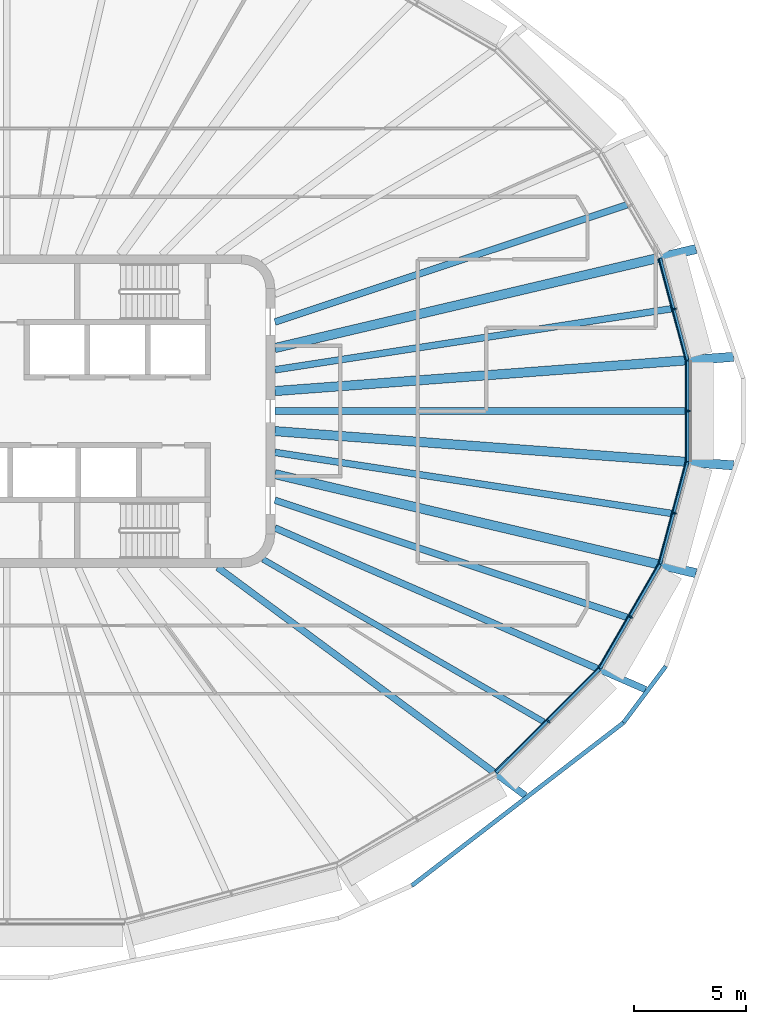
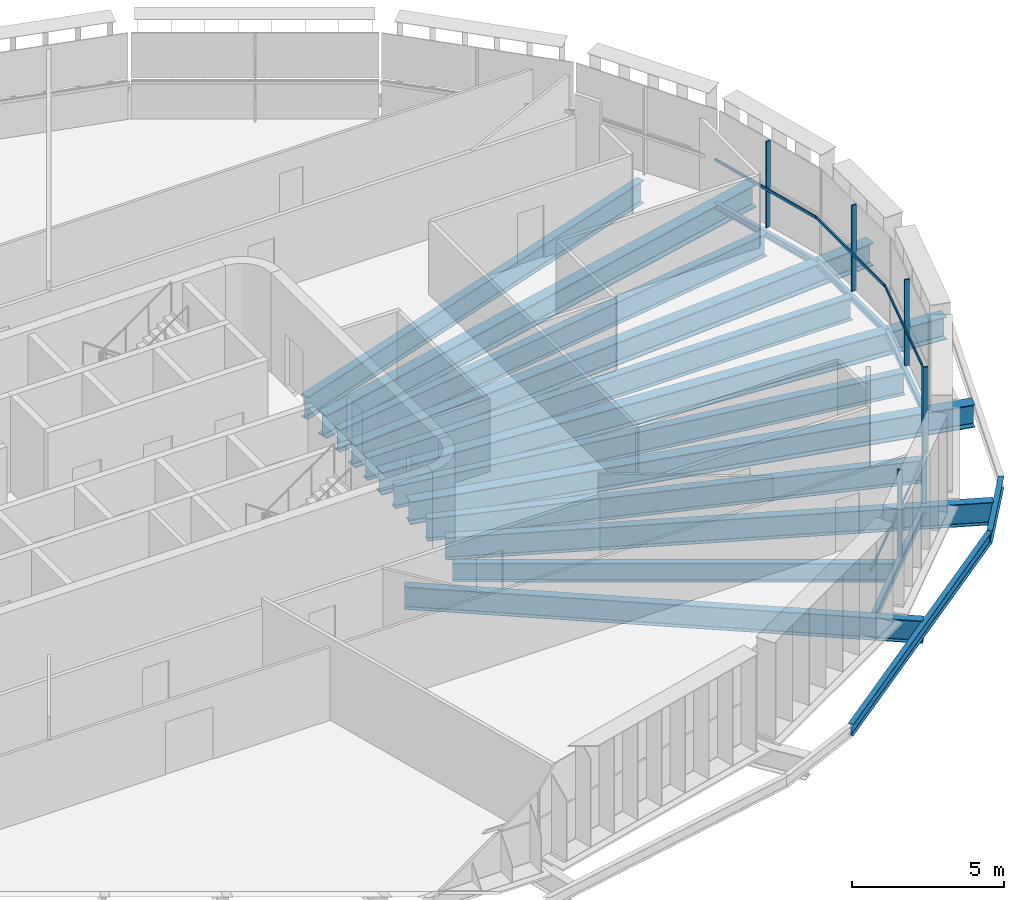
# One storey, part 4 of 20: 19 beams, 10 members, 5 elements without a shape of their own.
"""IFC4 building model written with IfcOpenShell, lengths in metres."""

from ifc_helpers import new_model, si_unit, direction, frame, origin, origin_2d, place, context, subcontext, project, spatial, rectangle, i_section, extrude, material, layer, layer_set, material_profile, profile_set, type_object, element, aggregate, save


model = new_model("IFC4")

# Units and contexts
model_context = context("Model", 3, precision=1e-05, world=origin(), true_north=direction((0.0, 1.0)))
body_context = subcontext(model_context, "Body", "Model", "MODEL_VIEW")
ifc_project = project(units=[si_unit("LENGTHUNIT", "METRE"), si_unit("AREAUNIT", "SQUARE_METRE"), si_unit("VOLUMEUNIT", "CUBIC_METRE"), si_unit("PLANEANGLEUNIT", "RADIAN"), si_unit("MASSUNIT", "GRAM", prefix="KILO")], contexts=[model_context])

# Site, building, storey
site_placement = place(None, origin())
site = spatial("IfcSite", under=ifc_project, at=site_placement, CompositionType="ELEMENT")
building_placement = place(site_placement, origin())
building = spatial("IfcBuilding", under=site, at=building_placement, Name="Sahrelin Media Tower", CompositionType="ELEMENT")
storey_placement = place(building_placement, frame((0.0, 0.0, 213.60009765625)))
storey = spatial("IfcBuildingStorey", under=building, at=storey_placement, Name="L45", CompositionType="ELEMENT", Elevation=213.60009765625)

# Beams
ifc_material_1 = material(Name="Steel S355", Category="steel")
ifc_material_profile_1 = material_profile(ifc_material_1, i_section(OverallWidth=0.14599609375, OverallDepth=0.25146484375, WebThickness=0.006103515625, FlangeThickness=0.008544921875, FilletRadius=0.007568359375, at=origin_2d()), Name="UB 254x146x31")
ifc_profile_set_1 = profile_set([ifc_material_profile_1], Name="Steel S355")
beam_type_1 = type_object("IfcBeamType", Name="Edge beam EB1", PredefinedType="BEAM", material=ifc_profile_set_1)
beam_1_placement = place(storey_placement, frame((30.4716796875, 2.253662109375, -0.27587890625), z_axis=(0.0, -1.0, 0.0), x_axis=(1.0, 0.0, 0.0)))
element("IfcBeam", 1, at=beam_1_placement, inside=storey, type_object=beam_type_1, Name="Edge beam L45-01", PredefinedType="BEAM", context=body_context, shape_type="SweptSolid", body=[
    extrude(i_section(OverallWidth=0.14599609375, OverallDepth=0.25146484375, WebThickness=0.006103515625, FlangeThickness=0.008544921875, FilletRadius=0.007568359375, at=origin_2d()), origin(), (0.0, 0.0, 1.0), 4.50732421875),
])
for number, where, z_axis, x_axis, name in (
    (2, (30.468017578125, -2.2822265625, -0.27587890625), (-0.258783514441, -0.965935346001, 0.0), (0.965935346001, -0.258783514441, 0.0), "Edge beam L45-02"),
    (3, (29.247314453125, 6.838623046875, -0.27587890625), (0.258783514441, -0.965935346001, 0.0), (0.965935346001, 0.258783514441, 0.0), "Edge beam L45-24"),
):
    element("IfcBeam", number, at=place(storey_placement, frame(where, z_axis=z_axis, x_axis=x_axis)), inside=storey, type_object=beam_type_1, Name=name, PredefinedType="BEAM", context=body_context, shape_type="SweptSolid", body=[
        extrude(i_section(OverallWidth=0.14599609375, OverallDepth=0.25146484375, WebThickness=0.006103515625, FlangeThickness=0.008544921875, FilletRadius=0.007568359375, at=origin_2d()), origin(), (0.0, 0.0, 1.0), 4.717041015625),
    ])
ifc_material_profile_2 = material_profile(ifc_material_1, i_section(OverallWidth=0.1650390625, OverallDepth=0.303466796875, WebThickness=0.006103515625, FlangeThickness=0.01025390625, FilletRadius=0.0087890625, at=origin_2d()), Name="UB 305x165x40")
ifc_profile_set_2 = profile_set([ifc_material_profile_2], Name="Steel S355")
beam_type_2 = type_object("IfcBeamType", Name="Edge beam EB2", PredefinedType="BEAM", material=ifc_profile_set_2)
beam_2_placement = place(storey_placement, frame((29.236083984375, -6.865234375, -0.3017578125), z_axis=(-0.499992359988, -0.866029814703, 0.0), x_axis=(0.866029814703, -0.499992359988, 0.0)))
element("IfcBeam", 4, at=beam_2_placement, inside=storey, type_object=beam_type_2, Name="Edge beam L45-03", PredefinedType="BEAM", context=body_context, shape_type="SweptSolid", body=[
    extrude(i_section(OverallWidth=0.1650390625, OverallDepth=0.303466796875, WebThickness=0.006103515625, FlangeThickness=0.01025390625, FilletRadius=0.0087890625, at=origin_2d()), origin(), (0.0, 0.0, 1.0), 5.37646484375),
])
ifc_material_profile_3 = material_profile(ifc_material_1, i_section(OverallWidth=0.17138671875, OverallDepth=0.35498046875, WebThickness=0.00732421875, FlangeThickness=0.011474609375, FilletRadius=0.01025390625, at=origin_2d()), Name="UB 356x171x51")
ifc_profile_set_3 = profile_set([ifc_material_profile_3], Name="Steel S355")
beam_type_3 = type_object("IfcBeamType", Name="Edge beam EB3", PredefinedType="BEAM", material=ifc_profile_set_3)
beam_3_placement = place(storey_placement, frame((26.5302734375, -11.54443359375, -0.32763671875), z_axis=(-0.70712542778, -0.707088134102, 0.0), x_axis=(0.707088134102, -0.70712542778, 0.0)))
element("IfcBeam", 5, at=beam_3_placement, inside=storey, type_object=beam_type_3, Name="Edge beam L45-04", PredefinedType="BEAM", context=body_context, shape_type="SweptSolid", body=[
    extrude(i_section(OverallWidth=0.17138671875, OverallDepth=0.35498046875, WebThickness=0.00732421875, FlangeThickness=0.011474609375, FilletRadius=0.01025390625, at=origin_2d()), origin(), (0.0, 0.0, 1.0), 6.54638671875),
])

# Curtain wall, member
ifc_material_2 = material(Name="Champagne anodised aluminium 6063-T6", Category="aluminium")
ifc_layer = layer(ifc_material_2, 0.14990234375)
ifc_layer_set = layer_set([ifc_layer], Name="Tower ribbon curtain wall")
curtain_wall_type = type_object("IfcCurtainWallType", Name="Tower ribbon curtain wall", PredefinedType="NOTDEFINED", material=ifc_layer_set)
curtain_wall_1_placement = place(storey_placement, frame((30.621826171875, 0.0, 0.0), z_axis=(0.0, 0.0, 1.0), x_axis=(1.0, 0.0, 0.0)))
curtain_wall_1 = element("IfcCurtainWall", 6, at=curtain_wall_1_placement, inside=storey, type_object=curtain_wall_type, Name="L45:CW:L45-00", PredefinedType="NOTDEFINED")
ifc_material_profile_4 = material_profile(ifc_material_2, rectangle(XDim=0.06005859375, YDim=0.175048828125, at=origin_2d()), Name="Mullion 60x175")
ifc_profile_set_4 = profile_set([ifc_material_profile_4], Name="Champagne anodised aluminium 6063-T6")
member_type_1 = type_object("IfcMemberType", Name="Mullion 60x175 CW1B", PredefinedType="MULLION", material=ifc_profile_set_4)
member_1_placement = place(storey_placement, frame((30.514404296875, 0.0, 0.0), z_axis=(0.0, 0.0, 1.0), x_axis=(0.0, 1.0, 0.0)))
member_1 = element("IfcMember", 7, at=member_1_placement, type_object=member_type_1, Name="L45:CWM:L45-00", PredefinedType="MULLION", context=body_context, shape_type="SweptSolid", body=[
    extrude(rectangle(XDim=0.06005859375, YDim=0.175048828125, at=origin_2d()), origin(), (0.0, 0.0, 1.0), 3.448486328125),
])

curtain_wall_2_placement = place(storey_placement, frame((30.00244140625, 4.599365234375, 0.0), z_axis=(0.0, 0.0, 1.0), x_axis=(1.0, 0.0, 0.0)))
curtain_wall_2 = element("IfcCurtainWall", 8, at=curtain_wall_2_placement, inside=storey, type_object=curtain_wall_type, Name="L45:CW:L45-01", PredefinedType="NOTDEFINED")
member_2_placement = place(storey_placement, frame((29.898681640625, 4.5712890625, 0.0), z_axis=(0.0, 0.0, 1.0), x_axis=(-0.258820730961, 0.965925374563, 0.0)))
member_2 = element("IfcMember", 9, at=member_2_placement, type_object=member_type_1, Name="L45:CWM:L45-01", PredefinedType="MULLION", context=body_context, shape_type="SweptSolid", body=[
    extrude(rectangle(XDim=0.06005859375, YDim=0.175048828125, at=origin_2d()), origin(), (0.0, 0.0, 1.0), 3.448486328125),
])

curtain_wall_3_placement = place(storey_placement, frame((24.32177734375, -13.965087890625, 0.0), z_axis=(0.0, 0.0, 1.0), x_axis=(1.0, 0.0, 0.0)))
curtain_wall_3 = element("IfcCurtainWall", 10, at=curtain_wall_3_placement, inside=storey, type_object=curtain_wall_type, Name="L45:CW:L45-21", PredefinedType="NOTDEFINED")
member_3_placement = place(storey_placement, frame((24.245849609375, -13.888916015625, 0.0), z_axis=(0.0, 0.0, 1.0), x_axis=(0.707114185953, 0.707099376343, 0.0)))
member_3 = element("IfcMember", 11, at=member_3_placement, type_object=member_type_1, Name="L45:CWM:L45-21", PredefinedType="MULLION", context=body_context, shape_type="SweptSolid", body=[
    extrude(rectangle(XDim=0.06005859375, YDim=0.175048828125, at=origin_2d()), origin(), (0.0, 0.0, 1.0), 3.448486328125),
])

curtain_wall_4_placement = place(storey_placement, frame((28.02197265625, -9.268310546875, 0.0), z_axis=(0.0, 0.0, 1.0), x_axis=(1.0, 0.0, 0.0)))
curtain_wall_4 = element("IfcCurtainWall", 12, at=curtain_wall_4_placement, inside=storey, type_object=curtain_wall_type, Name="L45:CW:L45-22", PredefinedType="NOTDEFINED")
member_4_placement = place(storey_placement, frame((27.9287109375, -9.214599609375, 0.0), z_axis=(0.0, 0.0, 1.0), x_axis=(0.4999984885, 0.866026276448, 0.0)))
member_4 = element("IfcMember", 13, at=member_4_placement, type_object=member_type_1, Name="L45:CWM:L45-22", PredefinedType="MULLION", context=body_context, shape_type="SweptSolid", body=[
    extrude(rectangle(XDim=0.06005859375, YDim=0.175048828125, at=origin_2d()), origin(), (0.0, 0.0, 1.0), 3.448486328125),
])

curtain_wall_5_placement = place(storey_placement, frame((30.00244140625, -4.59912109375, 0.0), z_axis=(0.0, 0.0, 1.0), x_axis=(1.0, 0.0, 0.0)))
curtain_wall_5 = element("IfcCurtainWall", 14, at=curtain_wall_5_placement, inside=storey, type_object=curtain_wall_type, Name="L45:CW:L45-23", PredefinedType="NOTDEFINED")
member_5_placement = place(storey_placement, frame((29.898681640625, -4.5712890625, 0.0), z_axis=(0.0, 0.0, 1.0), x_axis=(0.258820730961, 0.965925374563, 0.0)))
member_5 = element("IfcMember", 15, at=member_5_placement, type_object=member_type_1, Name="L45:CWM:L45-23", PredefinedType="MULLION", context=body_context, shape_type="SweptSolid", body=[
    extrude(rectangle(XDim=0.06005859375, YDim=0.175048828125, at=origin_2d()), origin(), (0.0, 0.0, 1.0), 3.448486328125),
])

# Beams
ifc_material_profile_5 = material_profile(ifc_material_1, i_section(OverallWidth=0.30322265625, OverallDepth=0.903076171875, WebThickness=0.01513671875, FlangeThickness=0.020263671875, FilletRadius=0.01904296875, at=origin_2d()), Name="UB 914x305x201")
ifc_profile_set_5 = profile_set([ifc_material_profile_5], Name="Steel S355")
beam_type_4 = type_object("IfcBeamType", Name="Radial primary beam PB11", PredefinedType="BEAM", material=ifc_profile_set_5)
beam_4_placement = place(storey_placement, frame((9.4384765625, -7.0, -0.6015625), z_axis=(0.803209621637, -0.595696486232, 0.0), x_axis=(0.595696486232, 0.803209621637, 0.0)))
element("IfcBeam", 16, at=beam_4_placement, inside=storey, type_object=beam_type_4, Name="Radial beam L45-21", PredefinedType="BEAM", context=body_context, shape_type="SweptSolid", body=[
    extrude(i_section(OverallWidth=0.30322265625, OverallDepth=0.903076171875, WebThickness=0.01513671875, FlangeThickness=0.020263671875, FilletRadius=0.01904296875, at=origin_2d()), origin(), (0.0, 0.0, 1.0), 17.153564453125),
])
beam_5_placement = place(storey_placement, frame((12.0, -5.23291015625, -0.6015625), z_axis=(0.916633040882, -0.399729744156, 0.0), x_axis=(0.399729744156, 0.916633040882, 0.0)))
element("IfcBeam", 17, at=beam_5_placement, inside=storey, type_object=beam_type_4, Name="Radial beam L45-22", PredefinedType="BEAM", context=body_context, shape_type="SweptSolid", body=[
    extrude(i_section(OverallWidth=0.30322265625, OverallDepth=0.903076171875, WebThickness=0.01513671875, FlangeThickness=0.020263671875, FilletRadius=0.01904296875, at=origin_2d()), origin(), (0.0, 0.0, 1.0), 18.11474609375),
])
ifc_material_profile_6 = material_profile(ifc_material_1, i_section(OverallWidth=0.41845703125, OverallDepth=0.911865234375, WebThickness=0.019287109375, FlangeThickness=0.031982421875, FilletRadius=0.024169921875, at=origin_2d()), Name="UB 914x419x343")
ifc_profile_set_6 = profile_set([ifc_material_profile_6], Name="Steel S355")
beam_type_5 = type_object("IfcBeamType", Name="Radial primary beam PB12", PredefinedType="BEAM", material=ifc_profile_set_6)
beam_6_placement = place(storey_placement, frame((12.0, 0.896484375, -0.60595703125), z_axis=(0.9972200688, 0.074512645791, 0.0), x_axis=(-0.074512645791, 0.9972200688, 0.0)))
element("IfcBeam", 18, at=beam_6_placement, inside=storey, type_object=beam_type_5, Name="Radial beam L45-01", PredefinedType="BEAM", context=body_context, shape_type="SweptSolid", body=[
    extrude(i_section(OverallWidth=0.41845703125, OverallDepth=0.911865234375, WebThickness=0.019287109375, FlangeThickness=0.031982421875, FilletRadius=0.024169921875, at=origin_2d()), origin(), (0.0, 0.0, 1.0), 20.59619140625),
])
for number, where, z_axis, x_axis, name in (
    (19, (12.0, 2.822265625, -0.60595703125), (0.973440466641, 0.22894029332, 0.0), (-0.22894029332, 0.973440466641, 0.0), "Radial beam L45-02"),
    (20, (12.0, -2.822265625, -0.60595703125), (0.973440466641, -0.22894029332, 0.0), (0.22894029332, 0.973440466641, 0.0), "Radial beam L45-23"),
):
    element("IfcBeam", number, at=place(storey_placement, frame(where, z_axis=z_axis, x_axis=x_axis)), inside=storey, type_object=beam_type_5, Name=name, PredefinedType="BEAM", context=body_context, shape_type="SweptSolid", body=[
        extrude(i_section(OverallWidth=0.41845703125, OverallDepth=0.911865234375, WebThickness=0.019287109375, FlangeThickness=0.031982421875, FilletRadius=0.024169921875, at=origin_2d()), origin(), (0.0, 0.0, 1.0), 19.373291015625),
    ])
beam_7_placement = place(storey_placement, frame((12.0, -0.896484375, -0.60595703125), z_axis=(0.9972200688, -0.074512645791, 0.0), x_axis=(0.074512645791, 0.9972200688, 0.0)))
element("IfcBeam", 21, at=beam_7_placement, inside=storey, type_object=beam_type_5, Name="Radial beam L45-24", PredefinedType="BEAM", context=body_context, shape_type="SweptSolid", body=[
    extrude(i_section(OverallWidth=0.41845703125, OverallDepth=0.911865234375, WebThickness=0.019287109375, FlangeThickness=0.031982421875, FilletRadius=0.024169921875, at=origin_2d()), origin(), (0.0, 0.0, 1.0), 20.59619140625),
])
ifc_material_profile_7 = material_profile(ifc_material_1, i_section(OverallWidth=0.30322265625, OverallDepth=0.903076171875, WebThickness=0.01513671875, FlangeThickness=0.020263671875, FilletRadius=0.01904296875, at=origin_2d()), Name="UB 914x305x201")
ifc_profile_set_7 = profile_set([ifc_material_profile_7], Name="Steel S355")
beam_type_6 = type_object("IfcBeamType", Name="Radial secondary beam SB11", PredefinedType="BEAM", material=ifc_profile_set_7)
beam_8_placement = place(storey_placement, frame((12.0, 1.847900390625, -0.6015625), z_axis=(0.988351758575, 0.152186731752, 0.0), x_axis=(-0.152186731752, 0.988351758575, 0.0)))
element("IfcBeam", 22, at=beam_8_placement, inside=storey, type_object=beam_type_6, Name="Secondary beam L45-01", PredefinedType="BEAM", context=body_context, shape_type="SweptSolid", body=[
    extrude(i_section(OverallWidth=0.30322265625, OverallDepth=0.903076171875, WebThickness=0.01513671875, FlangeThickness=0.020263671875, FilletRadius=0.01904296875, at=origin_2d()), origin(), (0.0, 0.0, 1.0), 17.98486328125),
])
for number, where, z_axis, x_axis, name in (
    (23, (12.0, 3.991455078125, -0.6015625), (0.948887272654, 0.315615183088, 0.0), (-0.315615183088, 0.948887272654, 0.0), "Secondary beam L45-02"),
    (24, (12.0, -3.991455078125, -0.6015625), (0.948887272654, -0.315615183088, 0.0), (0.315615183088, 0.948887272654, 0.0), "Secondary beam L45-22"),
):
    element("IfcBeam", number, at=place(storey_placement, frame(where, z_axis=z_axis, x_axis=x_axis)), inside=storey, type_object=beam_type_6, Name=name, PredefinedType="BEAM", context=body_context, shape_type="SweptSolid", body=[
        extrude(i_section(OverallWidth=0.30322265625, OverallDepth=0.903076171875, WebThickness=0.01513671875, FlangeThickness=0.020263671875, FilletRadius=0.01904296875, at=origin_2d()), origin(), (0.0, 0.0, 1.0), 16.62109375),
    ])
beam_9_placement = place(storey_placement, frame((12.0, -1.847900390625, -0.6015625), z_axis=(0.988351758575, -0.152186731752, 0.0), x_axis=(0.152186731752, 0.988351758575, 0.0)))
element("IfcBeam", 25, at=beam_9_placement, inside=storey, type_object=beam_type_6, Name="Secondary beam L45-23", PredefinedType="BEAM", context=body_context, shape_type="SweptSolid", body=[
    extrude(i_section(OverallWidth=0.30322265625, OverallDepth=0.903076171875, WebThickness=0.01513671875, FlangeThickness=0.020263671875, FilletRadius=0.01904296875, at=origin_2d()), origin(), (0.0, 0.0, 1.0), 17.98486328125),
])
beam_10_placement = place(storey_placement, frame((12.0, 0.0, -0.6015625), z_axis=(1.0, 0.0, 0.0), x_axis=(0.0, 1.0, 0.0)))
element("IfcBeam", 26, at=beam_10_placement, inside=storey, type_object=beam_type_6, Name="Secondary beam L45-24", PredefinedType="BEAM", context=body_context, shape_type="SweptSolid", body=[
    extrude(i_section(OverallWidth=0.30322265625, OverallDepth=0.903076171875, WebThickness=0.01513671875, FlangeThickness=0.020263671875, FilletRadius=0.01904296875, at=origin_2d()), origin(), (0.0, 0.0, 1.0), 18.398681640625),
])
ifc_material_profile_8 = material_profile(ifc_material_1, i_section(OverallWidth=0.26513671875, OverallDepth=0.75390625, WebThickness=0.0126953125, FlangeThickness=0.017578125, FilletRadius=0.0166015625, at=origin_2d()), Name="UB 762x267x147")
ifc_profile_set_8 = profile_set([ifc_material_profile_8], Name="Steel S355")
beam_type_7 = type_object("IfcBeamType", Name="Radial secondary beam SB9", PredefinedType="BEAM", material=ifc_profile_set_8)
beam_11_placement = place(storey_placement, frame((11.463623046875, -6.635009765625, -0.527099609375), z_axis=(0.865485713708, -0.500933607744, 0.0), x_axis=(0.500933607744, 0.865485713708, 0.0)))
element("IfcBeam", 27, at=beam_11_placement, inside=storey, type_object=beam_type_7, Name="Secondary beam L45-21", PredefinedType="BEAM", context=body_context, shape_type="SweptSolid", body=[
    extrude(i_section(OverallWidth=0.26513671875, OverallDepth=0.75390625, WebThickness=0.0126953125, FlangeThickness=0.017578125, FilletRadius=0.0166015625, at=origin_2d()), origin(), (0.0, 0.0, 1.0), 14.530517578125),
])
ifc_material_profile_9 = material_profile(ifc_material_1, i_section(OverallWidth=0.1904296875, OverallDepth=0.45703125, WebThickness=0.009033203125, FlangeThickness=0.014404296875, FilletRadius=0.01025390625, at=origin_2d()), Name="UB 457x191x74")
ifc_profile_set_9 = profile_set([ifc_material_profile_9], Name="Steel S355")
beam_type_8 = type_object("IfcBeamType", Name="Tie chord TC5", PredefinedType="BEAM", material=ifc_profile_set_9)
beam_12_placement = place(storey_placement, frame((18.12939453125, -21.253662109375, -0.378662109375), z_axis=(0.792444220913, 0.609944388237, 0.0), x_axis=(-0.609944388237, 0.792444220913, 0.0)))
element("IfcBeam", 28, at=beam_12_placement, inside=storey, type_object=beam_type_8, Name="Tie chord L45-21", PredefinedType="BEAM", context=body_context, shape_type="SweptSolid", body=[
    extrude(i_section(OverallWidth=0.1904296875, OverallDepth=0.45703125, WebThickness=0.009033203125, FlangeThickness=0.014404296875, FilletRadius=0.01025390625, at=origin_2d()), origin(), (0.0, 0.0, 1.0), 11.967529296875),
])
beam_13_placement = place(storey_placement, frame((27.613037109375, -13.9541015625, -0.378662109375), z_axis=(0.600074252543, 0.799944305208, 0.0), x_axis=(-0.799944305208, 0.600074252543, 0.0)))
element("IfcBeam", 29, at=beam_13_placement, inside=storey, type_object=beam_type_8, Name="Tie chord L45-22", PredefinedType="BEAM", context=body_context, shape_type="SweptSolid", body=[
    extrude(i_section(OverallWidth=0.1904296875, OverallDepth=0.45703125, WebThickness=0.009033203125, FlangeThickness=0.014404296875, FilletRadius=0.01025390625, at=origin_2d()), origin(), (0.0, 0.0, 1.0), 3.15625),
])

# Member
ifc_material_profile_10 = material_profile(ifc_material_2, rectangle(XDim=0.050048828125, YDim=0.110107421875, at=origin_2d()), Name="Transom 50x110")
ifc_profile_set_10 = profile_set([ifc_material_profile_10], Name="Champagne anodised aluminium 6063-T6")
member_type_2 = type_object("IfcMemberType", Name="Transom 50x110 CW1B", PredefinedType="USERDEFINED", material=ifc_profile_set_10)
member_6_placement = place(storey_placement, frame((30.40185546875, -2.238037109375, 1.599853515625), z_axis=(0.0, 1.0, 0.0), x_axis=(-1.0, 0.0, 0.0)))
member_6 = element("IfcMember", 30, at=member_6_placement, type_object=member_type_2, Name="L45:CWT:L45-00", ObjectType="TRANSOM", PredefinedType="USERDEFINED", context=body_context, shape_type="SweptSolid", body=[
    extrude(rectangle(XDim=0.050048828125, YDim=0.110107421875, at=origin_2d()), origin(), (0.0, 0.0, 1.0), 4.47607421875),
])

aggregate(curtain_wall_1, [member_1, member_6])

member_7_placement = place(storey_placement, frame((30.396484375, 2.279296875, 1.599853515625), z_axis=(-0.258842861016, 0.96591944452, 0.0), x_axis=(-0.96591944452, -0.258842861016, 0.0)))
member_7 = element("IfcMember", 31, at=member_7_placement, type_object=member_type_2, Name="L45:CWT:L45-01", ObjectType="TRANSOM", PredefinedType="USERDEFINED", context=body_context, shape_type="SweptSolid", body=[
    extrude(rectangle(XDim=0.050048828125, YDim=0.110107421875, at=origin_2d()), origin(), (0.0, 0.0, 1.0), 4.685791015625),
])

aggregate(curtain_wall_2, [member_2, member_7])

member_8_placement = place(storey_placement, frame((21.86279296875, -16.11279296875, 1.599853515625), z_axis=(0.707125517703, 0.707088044173, 0.0), x_axis=(-0.707088044173, 0.707125517703, 0.0)))
member_8 = element("IfcMember", 32, at=member_8_placement, type_object=member_type_2, Name="L45:CWT:L45-21", ObjectType="TRANSOM", PredefinedType="USERDEFINED", context=body_context, shape_type="SweptSolid", body=[
    extrude(rectangle(XDim=0.050048828125, YDim=0.110107421875, at=origin_2d()), origin(), (0.0, 0.0, 1.0), 6.51513671875),
])

aggregate(curtain_wall_3, [member_3, member_8])

member_9_placement = place(storey_placement, frame((26.4951171875, -11.472900390625, 1.599853515625), z_axis=(0.499995257159, 0.866028142048, 0.0), x_axis=(-0.866028142048, 0.499995257159, 0.0)))
member_9 = element("IfcMember", 33, at=member_9_placement, type_object=member_type_2, Name="L45:CWT:L45-22", ObjectType="TRANSOM", PredefinedType="USERDEFINED", context=body_context, shape_type="SweptSolid", body=[
    extrude(rectangle(XDim=0.050048828125, YDim=0.110107421875, at=origin_2d()), origin(), (0.0, 0.0, 1.0), 5.34521484375),
])

aggregate(curtain_wall_4, [member_4, member_9])

member_10_placement = place(storey_placement, frame((29.18359375, -6.805419921875, 1.599853515625), z_axis=(0.258842861016, 0.96591944452, 0.0), x_axis=(-0.96591944452, 0.258842861016, 0.0)))
member_10 = element("IfcMember", 34, at=member_10_placement, type_object=member_type_2, Name="L45:CWT:L45-23", ObjectType="TRANSOM", PredefinedType="USERDEFINED", context=body_context, shape_type="SweptSolid", body=[
    extrude(rectangle(XDim=0.050048828125, YDim=0.110107421875, at=origin_2d()), origin(), (0.0, 0.0, 1.0), 4.685791015625),
])

aggregate(curtain_wall_5, [member_5, member_10])

save(model, "model.ifc")
